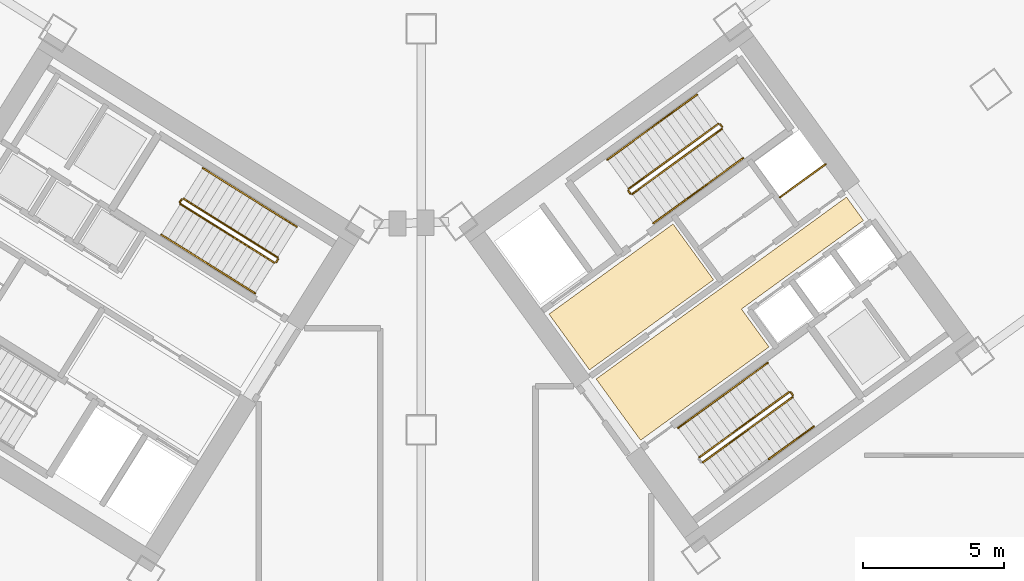
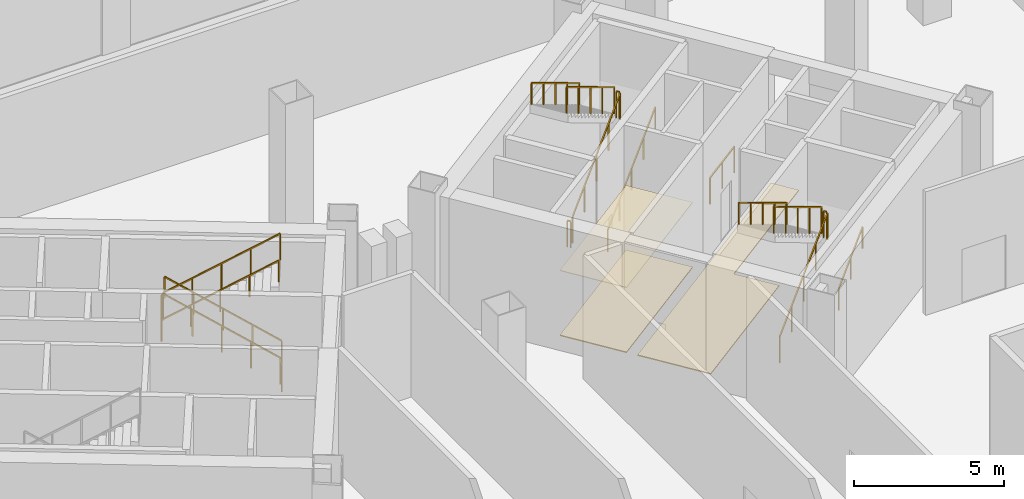
# One storey, part 20 of 22: 23 railings, 3 coverings.
"""IFC4 building model written with IfcOpenShell, lengths in metres."""

from ifc_helpers import new_model, si_unit, direction, frame, origin, origin_2d, place, context, subcontext, project, spatial, polyline, rectangle, outline, extrude, source, transform, mapped, material, layer, layer_set, type_object, element, save


model = new_model("IFC4")

# Units and contexts
model_context = context("Model", 3, precision=1e-05, world=origin(), true_north=direction((0.0, 1.0)))
body_context = subcontext(model_context, "Body", "Model", "MODEL_VIEW")
ifc_project = project(units=[si_unit("LENGTHUNIT", "METRE"), si_unit("AREAUNIT", "SQUARE_METRE"), si_unit("VOLUMEUNIT", "CUBIC_METRE"), si_unit("PLANEANGLEUNIT", "RADIAN"), si_unit("MASSUNIT", "GRAM", prefix="KILO")], contexts=[model_context])

# Site, building, storey
site_placement = place(None, origin())
site = spatial("IfcSite", under=ifc_project, at=site_placement, CompositionType="ELEMENT")
building_placement = place(site_placement, origin())
building = spatial("IfcBuilding", under=site, at=building_placement, Name="Tlacorven Tower", CompositionType="ELEMENT")
storey_placement = place(building_placement, origin())
storey = spatial("IfcBuildingStorey", under=building, at=storey_placement, Name="L00", CompositionType="ELEMENT", Elevation=0.0)

# Coverings
ifc_material_1 = material(Name="Acoustic mineral-fibre ceiling")
ifc_layer_1 = layer(ifc_material_1, 0.02490234375)
ifc_layer_set_1 = layer_set([ifc_layer_1], Name="Acoustic mineral-fibre ceiling")
covering_type_1 = type_object("IfcCoveringType", Name="CV-CLG-ACST", PredefinedType="CEILING", material=ifc_layer_set_1)
covering_1_placement = place(storey_placement, frame((0.0, 0.0, 2.64990234375)))
element("IfcCovering", 1, at=covering_1_placement, inside=storey, type_object=covering_type_1, Name="L00 Acoustic Suspended Ceiling 3", PredefinedType="CEILING", context=body_context, shape_type="SweptSolid", body=[
    extrude(outline(polyline([(48.760498046875, 19.326171875), (47.326171875, 21.300048828125), (51.71923828125, 24.49169921875), (53.1533203125, 22.517822265625), (48.760498046875, 19.326171875)])), origin(), (0.0, 0.0, 1.0), 0.025146484375),
])
ifc_material_2 = material(Name="Terrazzo and ceramic flooring")
ifc_layer_2 = layer(ifc_material_2, 0.0400390625)
ifc_layer_set_2 = layer_set([ifc_layer_2], Name="Terrazzo and ceramic flooring")
covering_type_2 = type_object("IfcCoveringType", Name="CV-FLR-TERZ", PredefinedType="FLOORING", material=ifc_layer_set_2)
covering_2_placement = place(storey_placement, origin())
element("IfcCovering", 2, at=covering_2_placement, inside=storey, type_object=covering_type_2, Name="L00 Terrazzo Floor Finish 3", PredefinedType="FLOORING", context=body_context, shape_type="SweptSolid", body=[
    extrude(outline(polyline([(48.760498046875, 19.326171875), (47.326171875, 21.300048828125), (51.71923828125, 24.49169921875), (53.1533203125, 22.517822265625), (48.760498046875, 19.326171875)])), origin(), (0.0, 0.0, 1.0), 0.0400390625),
])
covering_3_placement = place(storey_placement, origin())
element("IfcCovering", 3, at=covering_3_placement, inside=storey, type_object=covering_type_2, Name="L00 Terrazzo Floor Finish 4", PredefinedType="FLOORING", context=body_context, shape_type="SweptSolid", body=[
    extrude(outline(polyline([(50.57080078125, 16.834228515625), (48.99560546875, 19.00244140625), (57.8623046875, 25.444580078125), (58.4619140625, 24.619384765625), (54.141845703125, 21.480712890625), (55.117431640625, 20.1376953125), (50.57080078125, 16.834228515625)])), origin(), (0.0, 0.0, 1.0), 0.0400390625),
])

# Railings
ifc_material_3 = material(Name="Aluminium and painted steel balustrade", Category="steel")
railing_type_1 = type_object("IfcRailingType", Name="RL-GRD-1100", PredefinedType="GUARDRAIL", material=ifc_material_3)
shared_shape_1 = source(origin(), body_context, "Body", "SweptSolid", [
    extrude(rectangle(XDim=0.048095703125, YDim=0.048095703125, at=origin_2d()), frame((0.0, 0.0, 1.076171875), z_axis=(0.808947177504, 0.587881334972, 0.0), x_axis=(-0.587881334972, 0.808947177504, 0.0)), (0.0, 0.0, 1.0), 2.0),
    extrude(rectangle(XDim=0.0419921875, YDim=0.0419921875, at=origin_2d()), origin(), (0.0, 0.0, 1.0), 1.052001953125),
    extrude(rectangle(XDim=0.0419921875, YDim=0.0419921875, at=origin_2d()), frame((0.80908203125, 0.587890625, 0.0)), (0.0, 0.0, 1.0), 1.052001953125),
    extrude(rectangle(XDim=0.0419921875, YDim=0.0419921875, at=origin_2d()), frame((1.617919921875, 1.17578125, 0.0)), (0.0, 0.0, 1.0), 1.052001953125),
])
railing_1_placement = place(storey_placement, frame((55.506103515625, 25.438232421875, 0.0)))
element("IfcRailing", 4, at=railing_1_placement, inside=storey, type_object=railing_type_1, Name="L00 Electrical Riser E Shaft Guard 1", PredefinedType="GUARDRAIL", context=body_context, shape_type="MappedRepresentation", body=[
    mapped(shared_shape_1, transform((0.0, 0.0, 0.0), scale=1.0)),
])
railing_type_2 = type_object("IfcRailingType", Name="RL-HND-0900", PredefinedType="HANDRAIL", material=ifc_material_3)
shared_shape_2 = source(origin(), body_context, "Body", "SweptSolid", [
    extrude(rectangle(XDim=0.048095703125, YDim=0.048095703125, at=origin_2d()), frame((0.0, 0.0, 0.8759765625), z_axis=(0.713353726602, -0.445741297439, 0.540778287749), x_axis=(0.52990936055, 0.848054284584, 0.0)), (0.0, 0.0, 1.0), 2.330078125),
    extrude(rectangle(XDim=0.0419921875, YDim=0.0419921875, at=origin_2d()), origin(), (0.0, 0.0, 1.0), 0.851806640625),
    extrude(rectangle(XDim=0.0419921875, YDim=0.0419921875, at=origin_2d()), frame((0.8310546875, -0.519287109375, 0.6298828125)), (0.0, 0.0, 1.0), 0.851806640625),
    extrude(rectangle(XDim=0.0419921875, YDim=0.0419921875, at=origin_2d()), frame((1.662109375, -1.03857421875, 1.260009765625)), (0.0, 0.0, 1.0), 0.851806640625),
])
railing_2_placement = place(storey_placement, frame((33.593017578125, 24.11474609375, 2.8798828125)))
element("IfcRailing", 5, at=railing_2_placement, inside=storey, type_object=railing_type_2, Name="L00 ST-W2 stair handrail 3", PredefinedType="HANDRAIL", context=body_context, shape_type="MappedRepresentation", body=[
    mapped(shared_shape_2, transform((0.0, 0.0, 0.0), scale=1.0)),
])
shared_shape_3 = source(origin(), body_context, "Body", "SweptSolid", [
    extrude(rectangle(XDim=0.048095703125, YDim=0.048095703125, at=origin_2d()), frame((0.0, 0.0, 1.076171875), z_axis=(-0.530546985787, -0.847655529016, 0.0), x_axis=(0.847655529016, -0.530546985787, 0.0)), (0.0, 0.0, 1.0), 0.1201171875),
    extrude(rectangle(XDim=0.0419921875, YDim=0.0419921875, at=origin_2d()), origin(), (0.0, 0.0, 1.0), 1.052001953125),
    extrude(rectangle(XDim=0.0419921875, YDim=0.0419921875, at=origin_2d()), frame((-0.063720703125, -0.101806640625, 0.0)), (0.0, 0.0, 1.0), 1.052001953125),
])
for number, where, name in (
    (6, (34.319091796875, 25.370849609375, 2.699951171875), "L00 ST-W2 stair guard 2"),
    (7, (37.728271484375, 23.24072265625, 0.0), "L00 ST-W2 stair guard 4"),
):
    element("IfcRailing", number, at=place(storey_placement, frame(where)), inside=storey, type_object=railing_type_1, Name=name, PredefinedType="GUARDRAIL", context=body_context, shape_type="MappedRepresentation", body=[
        mapped(shared_shape_3, transform((0.0, 0.0, 0.0), scale=1.0)),
    ])
shared_shape_4 = source(origin(), body_context, "Body", "SweptSolid", [
    extrude(rectangle(XDim=0.048095703125, YDim=0.048095703125, at=origin_2d()), frame((0.0, 0.0, 1.076171875), z_axis=(-0.713353726602, 0.445741297439, 0.540778287749), x_axis=(-0.52990936055, -0.848054284584, 0.0)), (0.0, 0.0, 1.0), 4.659912109375),
    extrude(rectangle(XDim=0.0419921875, YDim=0.0419921875, at=origin_2d()), origin(), (0.0, 0.0, 1.0), 1.052001953125),
    extrude(rectangle(XDim=0.0419921875, YDim=0.0419921875, at=origin_2d()), frame((-0.8310546875, 0.519287109375, 0.6298828125)), (0.0, 0.0, 1.0), 1.052001953125),
    extrude(rectangle(XDim=0.0419921875, YDim=0.0419921875, at=origin_2d()), frame((-1.662109375, 1.03857421875, 1.260009765625)), (0.0, 0.0, 1.0), 1.052001953125),
    extrude(rectangle(XDim=0.0419921875, YDim=0.0419921875, at=origin_2d()), frame((-2.4931640625, 1.557861328125, 1.89013671875)), (0.0, 0.0, 1.0), 1.052001953125),
    extrude(rectangle(XDim=0.0419921875, YDim=0.0419921875, at=origin_2d()), frame((-3.32421875, 2.0771484375, 2.52001953125)), (0.0, 0.0, 1.0), 1.052001953125),
])
railing_3_placement = place(storey_placement, frame((37.712158203125, 23.3095703125, 0.179931640625)))
element("IfcRailing", 8, at=railing_3_placement, inside=storey, type_object=railing_type_1, Name="L00 ST-W2 stair guard 1", PredefinedType="GUARDRAIL", context=body_context, shape_type="MappedRepresentation", body=[
    mapped(shared_shape_4, transform((0.0, 0.0, 0.0), scale=1.0)),
])
shared_shape_5 = source(origin(), body_context, "Body", "SweptSolid", [
    extrude(rectangle(XDim=0.048095703125, YDim=0.048095703125, at=origin_2d()), frame((0.0, 0.0, 1.076171875), z_axis=(0.713379455689, -0.445724638981, 0.540758077523), x_axis=(0.529881371968, 0.848071772695, 0.0)), (0.0, 0.0, 1.0), 4.66015625),
    extrude(rectangle(XDim=0.0419921875, YDim=0.0419921875, at=origin_2d()), origin(), (0.0, 0.0, 1.0), 1.052001953125),
    extrude(rectangle(XDim=0.0419921875, YDim=0.0419921875, at=origin_2d()), frame((0.8310546875, -0.519287109375, 0.6298828125)), (0.0, 0.0, 1.0), 1.052001953125),
    extrude(rectangle(XDim=0.0419921875, YDim=0.0419921875, at=origin_2d()), frame((1.662109375, -1.03857421875, 1.260009765625)), (0.0, 0.0, 1.0), 1.052001953125),
    extrude(rectangle(XDim=0.0419921875, YDim=0.0419921875, at=origin_2d()), frame((2.493408203125, -1.557861328125, 1.89013671875)), (0.0, 0.0, 1.0), 1.052001953125),
    extrude(rectangle(XDim=0.0419921875, YDim=0.0419921875, at=origin_2d()), frame((3.324462890625, -2.0771484375, 2.52001953125)), (0.0, 0.0, 1.0), 1.052001953125),
])
railing_4_placement = place(storey_placement, frame((34.271240234375, 25.2001953125, 2.8798828125)))
element("IfcRailing", 9, at=railing_4_placement, inside=storey, type_object=railing_type_1, Name="L00 ST-W2 stair guard 3", PredefinedType="GUARDRAIL", context=body_context, shape_type="MappedRepresentation", body=[
    mapped(shared_shape_5, transform((0.0, 0.0, 0.0), scale=1.0)),
])
shared_shape_6 = source(origin(), body_context, "Body", "SweptSolid", [
    extrude(rectangle(XDim=0.048095703125, YDim=0.048095703125, at=origin_2d()), frame((0.0, 0.0, 0.8759765625), z_axis=(-0.713405181892, 0.445707981167, 0.540737868078), x_axis=(-0.529853385765, -0.848089258034, 0.0)), (0.0, 0.0, 1.0), 2.330078125),
    extrude(rectangle(XDim=0.0419921875, YDim=0.0419921875, at=origin_2d()), origin(), (0.0, 0.0, 1.0), 0.851806640625),
    extrude(rectangle(XDim=0.0419921875, YDim=0.0419921875, at=origin_2d()), frame((-0.8310546875, 0.519287109375, 0.6298828125)), (0.0, 0.0, 1.0), 0.851806640625),
    extrude(rectangle(XDim=0.0419921875, YDim=0.0419921875, at=origin_2d()), frame((-1.662353515625, 1.03857421875, 1.260009765625)), (0.0, 0.0, 1.0), 0.851806640625),
])
railing_5_placement = place(storey_placement, frame((38.390625, 24.39501953125, 0.179931640625)))
element("IfcRailing", 10, at=railing_5_placement, inside=storey, type_object=railing_type_2, Name="L00 ST-W2 stair handrail 1", PredefinedType="HANDRAIL", context=body_context, shape_type="MappedRepresentation", body=[
    mapped(shared_shape_6, transform((0.0, 0.0, 0.0), scale=1.0)),
])
shared_shape_7 = source(origin(), body_context, "Body", "SweptSolid", [
    extrude(rectangle(XDim=0.048095703125, YDim=0.048095703125, at=origin_2d()), frame((0.0, 0.0, 0.8759765625), z_axis=(-0.71332040746, 0.445825254663, 0.540753029216), x_axis=(-0.529998940003, -0.847998304005, 0.0)), (0.0, 0.0, 1.0), 2.330078125),
    extrude(rectangle(XDim=0.0419921875, YDim=0.0419921875, at=origin_2d()), origin(), (0.0, 0.0, 1.0), 0.851806640625),
    extrude(rectangle(XDim=0.0419921875, YDim=0.0419921875, at=origin_2d()), frame((-0.8310546875, 0.51953125, 0.6298828125)), (0.0, 0.0, 1.0), 0.851806640625),
    extrude(rectangle(XDim=0.0419921875, YDim=0.0419921875, at=origin_2d()), frame((-1.662109375, 1.038818359375, 1.260009765625)), (0.0, 0.0, 1.0), 0.851806640625),
])
railing_6_placement = place(storey_placement, frame((36.728271484375, 25.43359375, 1.43994140625)))
element("IfcRailing", 11, at=railing_6_placement, inside=storey, type_object=railing_type_2, Name="L00 ST-W2 stair handrail 2", PredefinedType="HANDRAIL", context=body_context, shape_type="MappedRepresentation", body=[
    mapped(shared_shape_7, transform((0.0, 0.0, 0.0), scale=1.0)),
])
shared_shape_8 = source(origin(), body_context, "Body", "SweptSolid", [
    extrude(rectangle(XDim=0.048095703125, YDim=0.048095703125, at=origin_2d()), frame((0.0, 0.0, 0.8759765625), z_axis=(0.713371865327, -0.445791935228, 0.540712615208), x_axis=(0.529942963146, 0.848033286971, 0.0)), (0.0, 0.0, 1.0), 2.330322265625),
    extrude(rectangle(XDim=0.0419921875, YDim=0.0419921875, at=origin_2d()), origin(), (0.0, 0.0, 1.0), 0.851806640625),
    extrude(rectangle(XDim=0.0419921875, YDim=0.0419921875, at=origin_2d()), frame((0.8310546875, -0.51953125, 0.6298828125)), (0.0, 0.0, 1.0), 0.851806640625),
    extrude(rectangle(XDim=0.0419921875, YDim=0.0419921875, at=origin_2d()), frame((1.662353515625, -1.038818359375, 1.260009765625)), (0.0, 0.0, 1.0), 0.851806640625),
])
railing_7_placement = place(storey_placement, frame((35.255126953125, 23.076171875, 4.139892578125)))
element("IfcRailing", 12, at=railing_7_placement, inside=storey, type_object=railing_type_2, Name="L00 ST-W2 stair handrail 4", PredefinedType="HANDRAIL", context=body_context, shape_type="MappedRepresentation", body=[
    mapped(shared_shape_8, transform((0.0, 0.0, 0.0), scale=1.0)),
])
shared_shape_9 = source(origin(), body_context, "Body", "SweptSolid", [
    extrude(rectangle(XDim=0.048095703125, YDim=0.048095703125, at=origin_2d()), frame((0.0, 0.0, 1.076171875), z_axis=(-0.587567097037, 0.809175448515, 0.0), x_axis=(-0.809175448515, -0.587567097037, 0.0)), (0.0, 0.0, 1.0), 0.1201171875),
    extrude(rectangle(XDim=0.0419921875, YDim=0.0419921875, at=origin_2d()), origin(), (0.0, 0.0, 1.0), 1.052001953125),
    extrude(rectangle(XDim=0.0419921875, YDim=0.0419921875, at=origin_2d()), frame((-0.070556640625, 0.09716796875, 0.0)), (0.0, 0.0, 1.0), 1.052001953125),
])
railing_8_placement = place(storey_placement, frame((53.459716796875, 27.931640625, 2.699951171875)))
element("IfcRailing", 13, at=railing_8_placement, inside=storey, type_object=railing_type_1, Name="L00 ST-E1 stair guard 2", PredefinedType="GUARDRAIL", context=body_context, shape_type="MappedRepresentation", body=[
    mapped(shared_shape_9, transform((0.0, 0.0, 0.0), scale=1.0)),
])
shared_shape_10 = source(origin(), body_context, "Body", "SweptSolid", [
    extrude(rectangle(XDim=0.048095703125, YDim=0.048095703125, at=origin_2d()), frame((0.0, 0.0, 1.076171875), z_axis=(-0.587201422542, 0.809440849824, 0.0), x_axis=(-0.809440849824, -0.587201422542, 0.0)), (0.0, 0.0, 1.0), 0.11962890625),
    extrude(rectangle(XDim=0.0419921875, YDim=0.0419921875, at=origin_2d()), origin(), (0.0, 0.0, 1.0), 1.052001953125),
    extrude(rectangle(XDim=0.0419921875, YDim=0.0419921875, at=origin_2d()), frame((-0.0703125, 0.096923828125, 0.0)), (0.0, 0.0, 1.0), 1.052001953125),
])
railing_9_placement = place(storey_placement, frame((50.207275390625, 25.56884765625, 0.0)))
element("IfcRailing", 14, at=railing_9_placement, inside=storey, type_object=railing_type_1, Name="L00 ST-E1 stair guard 4", PredefinedType="GUARDRAIL", context=body_context, shape_type="MappedRepresentation", body=[
    mapped(shared_shape_10, transform((0.0, 0.0, 0.0), scale=1.0)),
])
shared_shape_11 = source(origin(), body_context, "Body", "SweptSolid", [
    extrude(rectangle(XDim=0.048095703125, YDim=0.048095703125, at=origin_2d()), frame((0.0, 0.0, 1.076171875), z_axis=(0.680514408703, 0.494419468391, 0.540786028688), x_axis=(-0.587782769792, 0.809018798011, 0.0)), (0.0, 0.0, 1.0), 4.659912109375),
    extrude(rectangle(XDim=0.0419921875, YDim=0.0419921875, at=origin_2d()), origin(), (0.0, 0.0, 1.0), 1.052001953125),
    extrude(rectangle(XDim=0.0419921875, YDim=0.0419921875, at=origin_2d()), frame((0.792724609375, 0.575927734375, 0.6298828125)), (0.0, 0.0, 1.0), 1.052001953125),
    extrude(rectangle(XDim=0.0419921875, YDim=0.0419921875, at=origin_2d()), frame((1.58544921875, 1.15185546875, 1.260009765625)), (0.0, 0.0, 1.0), 1.052001953125),
    extrude(rectangle(XDim=0.0419921875, YDim=0.0419921875, at=origin_2d()), frame((2.37841796875, 1.72802734375, 1.89013671875)), (0.0, 0.0, 1.0), 1.052001953125),
    extrude(rectangle(XDim=0.0419921875, YDim=0.0419921875, at=origin_2d()), frame((3.171142578125, 2.303955078125, 2.52001953125)), (0.0, 0.0, 1.0), 1.052001953125),
])
railing_10_placement = place(storey_placement, frame((50.27734375, 25.557861328125, 0.179931640625)))
element("IfcRailing", 15, at=railing_10_placement, inside=storey, type_object=railing_type_1, Name="L00 ST-E1 stair guard 1", PredefinedType="GUARDRAIL", context=body_context, shape_type="MappedRepresentation", body=[
    mapped(shared_shape_11, transform((0.0, 0.0, 0.0), scale=1.0)),
])
shared_shape_12 = source(origin(), body_context, "Body", "SweptSolid", [
    extrude(rectangle(XDim=0.048095703125, YDim=0.048095703125, at=origin_2d()), frame((0.0, 0.0, 1.076171875), z_axis=(-0.680542536252, -0.494401841002, 0.540766748206), x_axis=(0.587753152711, -0.809040315113, 0.0)), (0.0, 0.0, 1.0), 4.66015625),
    extrude(rectangle(XDim=0.0419921875, YDim=0.0419921875, at=origin_2d()), origin(), (0.0, 0.0, 1.0), 1.052001953125),
    extrude(rectangle(XDim=0.0419921875, YDim=0.0419921875, at=origin_2d()), frame((-0.79296875, -0.575927734375, 0.6298828125)), (0.0, 0.0, 1.0), 1.052001953125),
    extrude(rectangle(XDim=0.0419921875, YDim=0.0419921875, at=origin_2d()), frame((-1.585693359375, -1.15185546875, 1.260009765625)), (0.0, 0.0, 1.0), 1.052001953125),
    extrude(rectangle(XDim=0.0419921875, YDim=0.0419921875, at=origin_2d()), frame((-2.37841796875, -1.72802734375, 1.89013671875)), (0.0, 0.0, 1.0), 1.052001953125),
    extrude(rectangle(XDim=0.0419921875, YDim=0.0419921875, at=origin_2d()), frame((-3.17138671875, -2.303955078125, 2.52001953125)), (0.0, 0.0, 1.0), 1.052001953125),
])
for number, where, name in (
    (16, (53.3193359375, 28.039794921875, 2.8798828125), "L00 ST-E1 stair guard 3"),
    (17, (55.8232421875, 18.53662109375, 2.8798828125), "L00 ST-E2 stair guard 3"),
):
    element("IfcRailing", number, at=place(storey_placement, frame(where)), inside=storey, type_object=railing_type_1, Name=name, PredefinedType="GUARDRAIL", context=body_context, shape_type="MappedRepresentation", body=[
        mapped(shared_shape_12, transform((0.0, 0.0, 0.0), scale=1.0)),
    ])
shared_shape_13 = source(origin(), body_context, "Body", "SweptSolid", [
    extrude(rectangle(XDim=0.048095703125, YDim=0.048095703125, at=origin_2d()), frame((0.0, 0.0, 0.8759765625), z_axis=(0.680524908878, 0.494441423402, 0.540752741297), x_axis=(-0.587793916777, 0.809010699188, 0.0)), (0.0, 0.0, 1.0), 2.330078125),
    extrude(rectangle(XDim=0.0419921875, YDim=0.0419921875, at=origin_2d()), origin(), (0.0, 0.0, 1.0), 0.851806640625),
    extrude(rectangle(XDim=0.0419921875, YDim=0.0419921875, at=origin_2d()), frame((0.79296875, 0.576171875, 0.6298828125)), (0.0, 0.0, 1.0), 0.851806640625),
    extrude(rectangle(XDim=0.0419921875, YDim=0.0419921875, at=origin_2d()), frame((1.585693359375, 1.152099609375, 1.260009765625)), (0.0, 0.0, 1.0), 0.851806640625),
])
for number, where, name in (
    (18, (51.029541015625, 24.522216796875, 0.179931640625), "L00 ST-E1 stair handrail 1"),
    (19, (52.615234375, 25.67431640625, 1.43994140625), "L00 ST-E1 stair handrail 2"),
):
    element("IfcRailing", number, at=place(storey_placement, frame(where)), inside=storey, type_object=railing_type_2, Name=name, PredefinedType="HANDRAIL", context=body_context, shape_type="MappedRepresentation", body=[
        mapped(shared_shape_13, transform((0.0, 0.0, 0.0), scale=1.0)),
    ])
shared_shape_14 = source(origin(), body_context, "Body", "SweptSolid", [
    extrude(rectangle(XDim=0.048095703125, YDim=0.048095703125, at=origin_2d()), frame((0.0, 0.0, 0.8759765625), z_axis=(-0.680524908878, -0.494441423402, 0.540752741297), x_axis=(0.587793916777, -0.809010699188, 0.0)), (0.0, 0.0, 1.0), 2.330078125),
    extrude(rectangle(XDim=0.0419921875, YDim=0.0419921875, at=origin_2d()), origin(), (0.0, 0.0, 1.0), 0.851806640625),
    extrude(rectangle(XDim=0.0419921875, YDim=0.0419921875, at=origin_2d()), frame((-0.79296875, -0.576171875, 0.6298828125)), (0.0, 0.0, 1.0), 0.851806640625),
    extrude(rectangle(XDim=0.0419921875, YDim=0.0419921875, at=origin_2d()), frame((-1.585693359375, -1.152099609375, 1.260009765625)), (0.0, 0.0, 1.0), 0.851806640625),
])
for number, where, name in (
    (20, (52.56689453125, 29.075439453125, 2.8798828125), "L00 ST-E1 stair handrail 3"),
    (21, (50.981201171875, 27.92333984375, 4.139892578125), "L00 ST-E1 stair handrail 4"),
    (22, (53.4853515625, 18.420166015625, 4.139892578125), "L00 ST-E2 stair handrail 4"),
):
    element("IfcRailing", number, at=place(storey_placement, frame(where)), inside=storey, type_object=railing_type_2, Name=name, PredefinedType="HANDRAIL", context=body_context, shape_type="MappedRepresentation", body=[
        mapped(shared_shape_14, transform((0.0, 0.0, 0.0), scale=1.0)),
    ])
shared_shape_15 = source(origin(), body_context, "Body", "SweptSolid", [
    extrude(rectangle(XDim=0.048095703125, YDim=0.048095703125, at=origin_2d()), frame((0.0, 0.0, 1.076171875), z_axis=(0.680542536252, 0.494401841002, 0.540766748206), x_axis=(-0.587753152711, 0.809040315113, 0.0)), (0.0, 0.0, 1.0), 4.66015625),
    extrude(rectangle(XDim=0.0419921875, YDim=0.0419921875, at=origin_2d()), origin(), (0.0, 0.0, 1.0), 1.052001953125),
    extrude(rectangle(XDim=0.0419921875, YDim=0.0419921875, at=origin_2d()), frame((0.79296875, 0.575927734375, 0.6298828125)), (0.0, 0.0, 1.0), 1.052001953125),
    extrude(rectangle(XDim=0.0419921875, YDim=0.0419921875, at=origin_2d()), frame((1.585693359375, 1.15185546875, 1.260009765625)), (0.0, 0.0, 1.0), 1.052001953125),
    extrude(rectangle(XDim=0.0419921875, YDim=0.0419921875, at=origin_2d()), frame((2.37841796875, 1.72802734375, 1.89013671875)), (0.0, 0.0, 1.0), 1.052001953125),
    extrude(rectangle(XDim=0.0419921875, YDim=0.0419921875, at=origin_2d()), frame((3.17138671875, 2.303955078125, 2.52001953125)), (0.0, 0.0, 1.0), 1.052001953125),
])
railing_11_placement = place(storey_placement, frame((52.78125, 16.0546875, 0.179931640625)))
element("IfcRailing", 23, at=railing_11_placement, inside=storey, type_object=railing_type_1, Name="L00 ST-E2 stair guard 1", PredefinedType="GUARDRAIL", context=body_context, shape_type="MappedRepresentation", body=[
    mapped(shared_shape_15, transform((0.0, 0.0, 0.0), scale=1.0)),
])
shared_shape_16 = source(origin(), body_context, "Body", "SweptSolid", [
    extrude(rectangle(XDim=0.048095703125, YDim=0.048095703125, at=origin_2d()), frame((0.0, 0.0, 1.076171875), z_axis=(-0.588534897514, 0.808471814232, 0.0), x_axis=(-0.808471814232, -0.588534897514, 0.0)), (0.0, 0.0, 1.0), 0.119873046875),
    extrude(rectangle(XDim=0.0419921875, YDim=0.0419921875, at=origin_2d()), origin(), (0.0, 0.0, 1.0), 1.052001953125),
    extrude(rectangle(XDim=0.0419921875, YDim=0.0419921875, at=origin_2d()), frame((-0.070556640625, 0.096923828125, 0.0)), (0.0, 0.0, 1.0), 1.052001953125),
])
railing_12_placement = place(storey_placement, frame((55.963623046875, 18.4287109375, 2.699951171875)))
element("IfcRailing", 24, at=railing_12_placement, inside=storey, type_object=railing_type_1, Name="L00 ST-E2 stair guard 2", PredefinedType="GUARDRAIL", context=body_context, shape_type="MappedRepresentation", body=[
    mapped(shared_shape_16, transform((0.0, 0.0, 0.0), scale=1.0)),
])
shared_shape_17 = source(origin(), body_context, "Body", "SweptSolid", [
    extrude(rectangle(XDim=0.048095703125, YDim=0.048095703125, at=origin_2d()), frame((0.0, 0.0, 0.8759765625), z_axis=(0.680468649714, 0.494476679704, 0.540791299842), x_axis=(-0.587853152907, 0.808967657337, 0.0)), (0.0, 0.0, 1.0), 2.329833984375),
    extrude(rectangle(XDim=0.0419921875, YDim=0.0419921875, at=origin_2d()), origin(), (0.0, 0.0, 1.0), 0.851806640625),
    extrude(rectangle(XDim=0.0419921875, YDim=0.0419921875, at=origin_2d()), frame((0.792724609375, 0.576171875, 0.6298828125)), (0.0, 0.0, 1.0), 0.851806640625),
    extrude(rectangle(XDim=0.0419921875, YDim=0.0419921875, at=origin_2d()), frame((1.58544921875, 1.152099609375, 1.260009765625)), (0.0, 0.0, 1.0), 0.851806640625),
])
railing_13_placement = place(storey_placement, frame((55.119384765625, 16.171142578125, 1.43994140625)))
element("IfcRailing", 25, at=railing_13_placement, inside=storey, type_object=railing_type_2, Name="L00 ST-E2 stair handrail 2", PredefinedType="HANDRAIL", context=body_context, shape_type="MappedRepresentation", body=[
    mapped(shared_shape_17, transform((0.0, 0.0, 0.0), scale=1.0)),
])
shared_shape_18 = source(origin(), body_context, "Body", "SweptSolid", [
    extrude(rectangle(XDim=0.048095703125, YDim=0.048095703125, at=origin_2d()), frame((0.0, 0.0, 0.8759765625), z_axis=(-0.680468649714, -0.494476679704, 0.540791299842), x_axis=(0.587853152907, -0.808967657337, 0.0)), (0.0, 0.0, 1.0), 2.329833984375),
    extrude(rectangle(XDim=0.0419921875, YDim=0.0419921875, at=origin_2d()), origin(), (0.0, 0.0, 1.0), 0.851806640625),
    extrude(rectangle(XDim=0.0419921875, YDim=0.0419921875, at=origin_2d()), frame((-0.792724609375, -0.576171875, 0.6298828125)), (0.0, 0.0, 1.0), 0.851806640625),
    extrude(rectangle(XDim=0.0419921875, YDim=0.0419921875, at=origin_2d()), frame((-1.58544921875, -1.152099609375, 1.260009765625)), (0.0, 0.0, 1.0), 0.851806640625),
])
railing_14_placement = place(storey_placement, frame((55.07080078125, 19.572265625, 2.8798828125)))
element("IfcRailing", 26, at=railing_14_placement, inside=storey, type_object=railing_type_2, Name="L00 ST-E2 stair handrail 3", PredefinedType="HANDRAIL", context=body_context, shape_type="MappedRepresentation", body=[
    mapped(shared_shape_18, transform((0.0, 0.0, 0.0), scale=1.0)),
])

save(model, "model.ifc")
